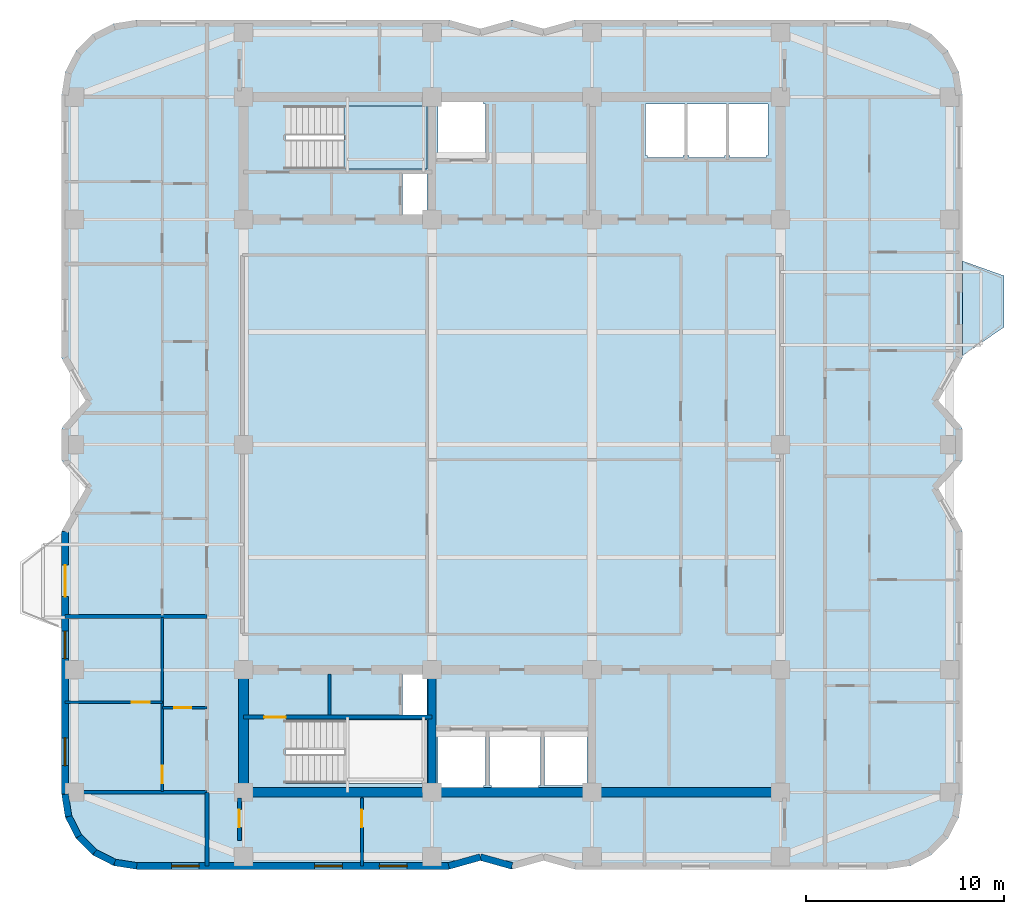
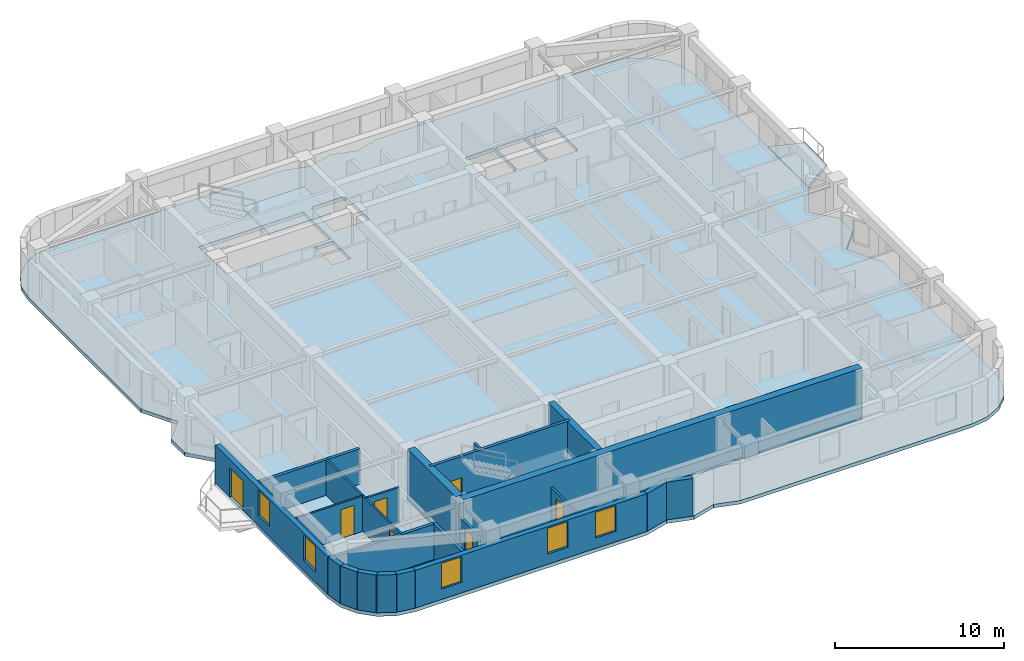
# One storey, part 2 of 9: 22 walls, 7 doors, 5 windows, 3 slabs, 12 openings, 1 element without a shape of its own.
"""IFC4 building model written with IfcOpenShell, lengths in metres."""

import ifcopenshell
import ifcopenshell.guid

model = None  # the IFC model being written
_history = None  # IfcOwnerHistory: only IFC2X3 demands one
_inside = {}  # id of a spatial element -> (the spatial element, [elements in it])
_under = {}  # id of a project, library or spatial element -> (it, [spatial elements below it])
_declared = {}  # id of a project -> (the project, [libraries it declares])
_typed = {}  # id of a type object -> (the type object, [elements of that type])
_made_of = {}  # id of a material, layer set ... -> (it, [elements and type objects made of it])


def new_model(schema):
    """Start an empty IFC model of exactly this schema.

    Asked for "IFC4X3", IfcOpenShell would pick the latest addendum, in which some entities
    have other attributes; the version numbers below select the first issue.
    IFC2X3 requires an IfcOwnerHistory on every rooted entity: one is made here for all.
    """
    global model, _history
    if schema == "IFC4X3":
        model = ifcopenshell.file(schema_version=(4, 3, 0, 0))
    else:
        model = ifcopenshell.file(schema=schema)
    _inside.clear()
    _under.clear()
    _declared.clear()
    _typed.clear()
    _made_of.clear()
    _history = None
    if model.schema == "IFC2X3":
        org = make("IfcOrganization", Name="unknown")
        user = make(
            "IfcPersonAndOrganization",
            ThePerson=make("IfcPerson", FamilyName="unknown"),
            TheOrganization=org,
        )
        app = make(
            "IfcApplication",
            ApplicationDeveloper=org,
            Version="unknown",
            ApplicationFullName="unknown",
            ApplicationIdentifier="unknown",
        )
        _history = make(
            "IfcOwnerHistory",
            OwningUser=user,
            OwningApplication=app,
            ChangeAction="ADDED",
            CreationDate=0,
        )
    return model


def make(cls, **values):
    """One entity of the class cls with the attributes given. An attribute that is None is left unset."""
    return model.create_entity(
        cls, **{name: value for name, value in values.items() if value is not None}
    )


def rooted(cls, **values):
    """An entity with a GlobalId (a new one), such as an element, a storey or a relation."""
    return make(cls, GlobalId=ifcopenshell.guid.new(), OwnerHistory=_history, **values)


def si_unit(unit_type, name, prefix=None):
    """IfcSIUnit, for example si_unit("LENGTHUNIT", "METRE", prefix="MILLI")."""
    return make("IfcSIUnit", UnitType=unit_type, Prefix=prefix, Name=name)


def assignment(units):
    """IfcUnitAssignment: the units of a project."""
    return None if units is None else make("IfcUnitAssignment", Units=units)


def point(xyz):
    """IfcCartesianPoint."""
    return None if xyz is None else make("IfcCartesianPoint", Coordinates=xyz)


def direction(xyz):
    """IfcDirection."""
    return None if xyz is None else make("IfcDirection", DirectionRatios=xyz)


def frame(location, z_axis=None, x_axis=None):
    """IfcAxis2Placement3D, a coordinate frame: its origin and axes. An axis left out is left unset."""
    return make(
        "IfcAxis2Placement3D",
        Location=point(location),
        Axis=direction(z_axis),
        RefDirection=direction(x_axis),
    )


def frame_2d(location, x_axis=None):
    """IfcAxis2Placement2D, a coordinate frame in the plane: its origin and x axis."""
    return make(
        "IfcAxis2Placement2D", Location=point(location), RefDirection=direction(x_axis)
    )


def origin():
    """The frame at (0, 0, 0) with its axes left unset."""
    return frame((0.0, 0.0, 0.0))


def place(relative_to, where):
    """IfcLocalPlacement: puts the frame where relative to a parent placement (None: the world)."""
    return make(
        "IfcLocalPlacement", PlacementRelTo=relative_to, RelativePlacement=where
    )


def context(
    kind, dimensions, precision=None, world=None, true_north=None, identifier=None
):
    """IfcGeometricRepresentationContext, for example the 3D "Model" context."""
    return make(
        "IfcGeometricRepresentationContext",
        ContextIdentifier=identifier,
        ContextType=kind,
        CoordinateSpaceDimension=dimensions,
        Precision=precision,
        WorldCoordinateSystem=world,
        TrueNorth=true_north,
    )


def subcontext(parent, identifier, kind, view, scale=None):
    """IfcGeometricRepresentationSubContext, for example "Body" below "Model"."""
    return make(
        "IfcGeometricRepresentationSubContext",
        ContextIdentifier=identifier,
        ContextType=kind,
        ParentContext=parent,
        TargetScale=scale,
        TargetView=view,
    )


def project(units=None, contexts=None):
    """IfcProject with its units and contexts."""
    return rooted(
        "IfcProject",
        Name="project",
        RepresentationContexts=contexts,
        UnitsInContext=assignment(units),
    )


def spatial(cls, under=None, at=None, **own):
    """A site, building, storey or space (cls), placed at a placement, below another one or the project."""
    s = rooted(cls, ObjectPlacement=at, **own)
    if under is not None:
        _under.setdefault(under.id(), (under, []))[1].append(s)
    return s


def polyline(points):
    """IfcPolyline through the points."""
    return make("IfcPolyline", Points=[point(p) for p in points])


def profile(cls, at=None, kind="AREA", **sizes):
    """A parametric profile (cls). Its sizes go by their IFC names, for example OverallWidth=200.0."""
    return make(cls, ProfileType=kind, Position=at, **sizes)


def rectangle(**sizes):
    """IfcRectangleProfileDef."""
    return profile("IfcRectangleProfileDef", **sizes)


def outline(outer, holes=None, kind="AREA"):
    """IfcArbitraryClosedProfileDef: a profile drawn as a closed curve; with holes, ...WithVoids."""
    if holes is None:
        return make("IfcArbitraryClosedProfileDef", ProfileType=kind, OuterCurve=outer)
    return make(
        "IfcArbitraryProfileDefWithVoids",
        ProfileType=kind,
        OuterCurve=outer,
        InnerCurves=holes,
    )


def extrude(swept, where, along, depth):
    """IfcExtrudedAreaSolid: the profile swept, set in the frame where, extruded along a direction by depth."""
    return make(
        "IfcExtrudedAreaSolid",
        SweptArea=swept,
        Position=where,
        ExtrudedDirection=direction(along),
        Depth=depth,
    )


def shape(context_of_items, identifier, shape_type, items):
    """IfcShapeRepresentation: the items that make up one representation, for example the "Body"."""
    return make(
        "IfcShapeRepresentation",
        ContextOfItems=context_of_items,
        RepresentationIdentifier=identifier,
        RepresentationType=shape_type,
        Items=items,
    )


def material(Name=None, Category=None):
    """IfcMaterial."""
    return make("IfcMaterial", Name=Name, Category=Category)


def layer(
    of_material, thickness, ventilated=None, Name=None, Category=None, Priority=None
):
    """IfcMaterialLayer: one layer of a wall or slab, of a material (None: an air gap)."""
    return make(
        "IfcMaterialLayer",
        Material=of_material,
        LayerThickness=thickness,
        IsVentilated=ventilated,
        Name=Name,
        Category=Category,
        Priority=Priority,
    )


def layer_set(layers, Name=None):
    """IfcMaterialLayerSet."""
    return make("IfcMaterialLayerSet", MaterialLayers=layers, LayerSetName=Name)


def made_of(thing, what):
    """Note that an element or type object is made of a material, layer set ...; save() writes the relation."""
    if what is not None:
        _made_of.setdefault(what.id(), (what, []))[1].append(thing)
    return thing


def type_object(cls, material=None, **own):
    """A type object (cls), such as IfcWallType, which elements share."""
    return made_of(rooted(cls, **own), material)


def element(
    cls,
    number,
    at=None,
    inside=None,
    cuts=None,
    type_object=None,
    material=None,
    context=None,
    identifier="Body",
    shape_type=None,
    held_by="IfcProductDefinitionShape",
    body=None,
    shapes=None,
    **own,
):
    """One element of the class cls, such as IfcWall. Its Tag is "e" and its number.

    at: its placement. inside: the storey or other place that contains it. cuts: it is an
    opening in that element (IfcRelVoidsElement). A single representation is given by context,
    identifier, shape_type and body (its items); several are given by shapes. held_by: the class
    of the entity that holds the representations. save() writes the other relations.
    """
    e = rooted(cls, Tag="e%d" % number, ObjectPlacement=at, **own)
    if body is not None:
        shapes = [shape(context, identifier, shape_type, body)]
    if shapes is not None:
        e.Representation = make(held_by, Representations=shapes)
    if inside is not None:
        _inside.setdefault(inside.id(), (inside, []))[1].append(e)
    if cuts is not None:
        rooted(
            "IfcRelVoidsElement", RelatingBuildingElement=cuts, RelatedOpeningElement=e
        )
    if type_object is not None:
        _typed.setdefault(type_object.id(), (type_object, []))[1].append(e)
    return made_of(e, material)


def fill(opening, filler):
    """IfcRelFillsElement: the door or window that sits in an opening."""
    return rooted(
        "IfcRelFillsElement",
        RelatingOpeningElement=opening,
        RelatedBuildingElement=filler,
    )


def aggregate(whole, parts):
    """IfcRelAggregates: a whole, such as a stair, and the parts it consists of."""
    return rooted("IfcRelAggregates", RelatingObject=whole, RelatedObjects=parts)


def save(model, path):
    """Write the relations noted so far, then the file.

    IfcRelAggregates (storeys below a building ...), IfcRelContainedInSpatialStructure (elements
    in a storey), IfcRelDefinesByType, IfcRelAssociatesMaterial and IfcRelDeclares: one each for
    every whole, place, type object, material and project.
    """
    for whole, parts in _under.values():
        aggregate(whole, parts)
    for where, things in _inside.values():
        rooted(
            "IfcRelContainedInSpatialStructure",
            RelatedElements=things,
            RelatingStructure=where,
        )
    for kind, things in _typed.values():
        rooted("IfcRelDefinesByType", RelatedObjects=things, RelatingType=kind)
    for what, things in _made_of.values():
        rooted("IfcRelAssociatesMaterial", RelatedObjects=things, RelatingMaterial=what)
    for by, libraries in _declared.values():
        rooted("IfcRelDeclares", RelatingContext=by, RelatedDefinitions=libraries)
    model.write(path)


model = new_model("IFC4")

# Units and contexts
model_context = context("Model", 3, precision=1e-05, world=origin(), true_north=direction((0.0, 1.0)))
body_context = subcontext(model_context, "Body", "Model", "MODEL_VIEW")
ifc_project = project(units=[si_unit("LENGTHUNIT", "METRE"), si_unit("AREAUNIT", "SQUARE_METRE"), si_unit("VOLUMEUNIT", "CUBIC_METRE"), si_unit("PLANEANGLEUNIT", "RADIAN"), si_unit("MASSUNIT", "GRAM", prefix="KILO")], contexts=[model_context])

# Site, building, storey
site_placement = place(None, origin())
site = spatial("IfcSite", under=ifc_project, at=site_placement, CompositionType="ELEMENT")
building_placement = place(site_placement, origin())
building = spatial("IfcBuilding", under=site, at=building_placement, Name="Svetorya Sky Lyceum", CompositionType="ELEMENT")
storey_placement = place(building_placement, frame((0.0, 0.0, 170.0)))
storey = spatial("IfcBuildingStorey", under=building, at=storey_placement, Name="L42", CompositionType="ELEMENT", Elevation=170.0)

# Slab
ifc_material_1 = material(Name="Concrete C40/50", Category="concrete")
ifc_layer_1 = layer(ifc_material_1, 0.260009765625)
ifc_layer_set_1 = layer_set([ifc_layer_1], Name="Concrete C40/50")
slab_type_1 = type_object("IfcSlabType", Name="SL-BAL-260", PredefinedType="FLOOR", material=ifc_layer_set_1)
slab_1_placement = place(storey_placement, frame((0.0, 0.0, -0.260009765625)))
element("IfcSlab", 1, at=slab_1_placement, inside=storey, type_object=slab_type_1, Name="L42 Chamfered Loggia Balcony BAL-E1", PredefinedType="FLOOR", context=body_context, shape_type="SweptSolid", body=[
    extrude(outline(polyline([(62.010009765625, 32.699951171875), (64.110107421875, 34.14990234375), (64.110107421875, 36.75), (62.010009765625, 37.5), (62.010009765625, 32.699951171875)])), origin(), (0.0, 0.0, 1.0), 0.260009765625),
])

# Stair, slab
stair_type = type_object("IfcStairType", Name="STR-ST-N", PredefinedType="HALF_TURN_STAIR", material=ifc_material_1)
stair_placement = place(storey_placement, origin())
stair = element("IfcStair", 2, at=stair_placement, inside=storey, type_object=stair_type, Name="L42 North Core Smoke-Free Exit Stair N3", PredefinedType="HALF_TURN_STAIR")
ifc_layer_2 = layer(ifc_material_1, 0.199951171875)
ifc_layer_set_2 = layer_set([ifc_layer_2], Name="Concrete C40/50")
slab_type_2 = type_object("IfcSlabType", Name="SL-STR-LAND-200", PredefinedType="LANDING", material=ifc_layer_set_2)
slab_2_placement = place(storey_placement, frame((0.0, 0.0, 1.64990234375)))
slab_2 = element("IfcSlab", 3, at=slab_2_placement, type_object=slab_type_2, Name="ST-N landing 1", PredefinedType="LANDING", context=body_context, shape_type="SweptSolid", body=[
    extrude(outline(polyline([(30.699951171875, 42.14990234375), (34.89990234375, 42.14990234375), (34.89990234375, 45.35009765625), (30.699951171875, 45.35009765625), (30.699951171875, 42.14990234375)])), origin(), (0.0, 0.0, 1.0), 0.2001953125),
])
aggregate(stair, [slab_2])

# Slab
ifc_material_2 = material(Name="Concrete C50/60", Category="concrete")
ifc_layer_3 = layer(ifc_material_2, 0.260009765625)
ifc_layer_set_3 = layer_set([ifc_layer_3], Name="Concrete C50/60")
slab_type_3 = type_object("IfcSlabType", Name="SL-TWR-260", PredefinedType="FLOOR", material=ifc_layer_set_3)
slab_3_placement = place(storey_placement, frame((0.0, 0.0, -0.260009765625)))
element("IfcSlab", 4, at=slab_3_placement, inside=storey, type_object=slab_type_3, Name="L42 Structural Floor Slab", PredefinedType="FLOOR", context=body_context, shape_type="SweptSolid", body=[
    extrude(outline(polyline([(16.39990234375, 10.5), (16.5859375, 9.32568359375), (17.125732421875, 8.266357421875), (17.96630859375, 7.42578125), (19.025634765625, 6.885986328125), (20.199951171875, 6.699951171875), (36.0, 6.699951171875), (37.60009765625, 7.14990234375), (39.199951171875, 6.699951171875), (40.800048828125, 7.14990234375), (42.39990234375, 6.699951171875), (58.199951171875, 6.699951171875), (59.374267578125, 6.885986328125), (60.43359375, 7.42578125), (61.2744140625, 8.266357421875), (61.81396484375, 9.32568359375), (62.0, 10.5), (62.0, 23.800048828125), (60.75, 26.0), (62.0, 27.39990234375), (62.0, 29.0), (60.75, 30.39990234375), (62.0, 32.60009765625), (62.0, 45.89990234375), (61.81396484375, 47.07421875), (61.2744140625, 48.133544921875), (60.43359375, 48.974365234375), (59.374267578125, 49.513916015625), (58.199951171875, 49.699951171875), (42.39990234375, 49.699951171875), (40.800048828125, 49.25), (39.199951171875, 49.699951171875), (37.60009765625, 49.25), (36.0, 49.699951171875), (20.199951171875, 49.699951171875), (19.025634765625, 49.513916015625), (17.96630859375, 48.974365234375), (17.125732421875, 48.133544921875), (16.5859375, 47.07421875), (16.39990234375, 45.89990234375), (16.39990234375, 32.60009765625), (17.64990234375, 30.39990234375), (16.39990234375, 29.0), (16.39990234375, 27.39990234375), (17.64990234375, 26.0), (16.39990234375, 23.800048828125), (16.39990234375, 10.5)]), holes=[polyline([(37.85009765625, 10.949951171875), (37.75, 10.949951171875), (37.75, 10.85009765625), (35.550048828125, 10.85009765625), (35.550048828125, 10.949951171875), (35.449951171875, 10.949951171875), (35.449951171875, 13.64990234375), (35.550048828125, 13.64990234375), (37.75, 13.64990234375), (37.85009765625, 13.64990234375), (37.85009765625, 10.949951171875)]), polyline([(38.14990234375, 10.800048828125), (38.14990234375, 10.949951171875), (38.050048828125, 10.949951171875), (38.050048828125, 13.64990234375), (38.14990234375, 13.64990234375), (38.14990234375, 13.699951171875), (40.550048828125, 13.699951171875), (40.550048828125, 13.64990234375), (40.64990234375, 13.64990234375), (40.64990234375, 10.949951171875), (40.550048828125, 10.949951171875), (40.550048828125, 10.800048828125), (38.14990234375, 10.800048828125)]), polyline([(27.719970703125, 11.050048828125), (27.719970703125, 14.25), (34.89990234375, 14.25), (34.89990234375, 11.050048828125), (27.719970703125, 11.050048828125)]), polyline([(33.64990234375, 14.52001953125), (33.64990234375, 16.580078125), (34.89990234375, 16.580078125), (34.89990234375, 14.52001953125), (33.64990234375, 14.52001953125)]), polyline([(33.64990234375, 39.820068359375), (33.64990234375, 41.89990234375), (34.89990234375, 41.89990234375), (34.89990234375, 39.820068359375), (33.64990234375, 39.820068359375)]), polyline([(27.719970703125, 42.14990234375), (27.719970703125, 45.35009765625), (34.89990234375, 45.35009765625), (34.89990234375, 42.14990234375), (27.719970703125, 42.14990234375)]), polyline([(37.75, 42.75), (35.550048828125, 42.75), (35.449951171875, 42.75), (35.449951171875, 45.449951171875), (35.550048828125, 45.449951171875), (35.550048828125, 45.550048828125), (37.75, 45.550048828125), (37.75, 45.449951171875), (37.85009765625, 45.449951171875), (37.85009765625, 42.75), (37.75, 42.75)]), polyline([(40.85009765625, 10.949951171875), (40.85009765625, 13.64990234375), (43.0, 13.64990234375), (43.0, 10.949951171875), (40.85009765625, 10.949951171875)]), polyline([(46.050048828125, 42.75), (46.050048828125, 42.85009765625), (45.949951171875, 42.85009765625), (45.949951171875, 45.449951171875), (46.050048828125, 45.449951171875), (47.85009765625, 45.449951171875), (47.949951171875, 45.449951171875), (47.949951171875, 42.85009765625), (47.85009765625, 42.85009765625), (47.85009765625, 42.75), (46.050048828125, 42.75)]), polyline([(50.050048828125, 42.85009765625), (49.949951171875, 42.85009765625), (49.949951171875, 42.75), (48.14990234375, 42.75), (48.14990234375, 42.85009765625), (48.050048828125, 42.85009765625), (48.050048828125, 45.449951171875), (48.14990234375, 45.449951171875), (49.949951171875, 45.449951171875), (50.050048828125, 45.449951171875), (50.050048828125, 42.85009765625)]), polyline([(52.14990234375, 42.85009765625), (52.050048828125, 42.85009765625), (52.050048828125, 42.75), (50.25, 42.75), (50.25, 42.85009765625), (50.14990234375, 42.85009765625), (50.14990234375, 45.449951171875), (50.25, 45.449951171875), (52.050048828125, 45.449951171875), (52.14990234375, 45.449951171875), (52.14990234375, 42.85009765625)])]), origin(), (0.0, 0.0, 1.0), 0.260009765625),
])

# Walls
ifc_layer_4 = layer(ifc_material_1, 0.39990234375)
ifc_layer_set_4 = layer_set([ifc_layer_4], Name="Concrete C40/50")
wall_type_1 = type_object("IfcWallType", Name="WL-CORE-400", PredefinedType="SHEAR", material=ifc_layer_set_4)
wall_1_placement = place(storey_placement, frame((35.14990234375, 10.85009765625, 0.0), z_axis=(0.0, 0.0, 1.0), x_axis=(0.0, 1.0, 0.0)))
element("IfcWall", 5, at=wall_1_placement, inside=storey, type_object=wall_type_1, Name="L42 SC Internal Shear Web WEB1", PredefinedType="SHEAR", context=body_context, shape_type="SweptSolid", body=[
    extrude(rectangle(XDim=5.699951171875, YDim=0.39990234375, at=frame_2d((2.85009765625, 0.0))), origin(), (0.0, 0.0, 1.0), 3.699951171875),
])
ifc_layer_5 = layer(ifc_material_2, 0.5)
ifc_layer_set_5 = layer_set([ifc_layer_5], Name="Concrete C50/60")
wall_type_2 = type_object("IfcWallType", Name="WL-CORE-500", PredefinedType="SHEAR", material=ifc_layer_set_5)
wall_2_placement = place(storey_placement, frame((52.800048828125, 10.60009765625, 0.0), z_axis=(0.0, 0.0, 1.0), x_axis=(-1.0, 0.0, 0.0)))
element("IfcWall", 6, at=wall_2_placement, inside=storey, type_object=wall_type_2, Name="L42 SC Outer Core Shear Wall", PredefinedType="SHEAR", context=body_context, shape_type="SweptSolid", body=[
    extrude(rectangle(XDim=27.199951171875, YDim=0.5, at=frame_2d((13.60009765625, 0.0))), origin(), (0.0, 0.0, 1.0), 3.699951171875),
])
wall_3_placement = place(storey_placement, frame((25.60009765625, 10.85009765625, 0.0), z_axis=(0.0, 0.0, 1.0), x_axis=(0.0, 1.0, 0.0)))
element("IfcWall", 7, at=wall_3_placement, inside=storey, type_object=wall_type_2, Name="L42 SC West Core Shear Wall", PredefinedType="SHEAR", context=body_context, shape_type="SweptSolid", body=[
    extrude(rectangle(XDim=5.699951171875, YDim=0.5, at=frame_2d((2.85009765625, 0.0))), origin(), (0.0, 0.0, 1.0), 3.699951171875),
])
ifc_material_3 = material(Name="Putilovo limestone rainscreen on autoclaved cellular masonry", Category="masonry")
ifc_layer_6 = layer(ifc_material_3, 0.340087890625)
ifc_layer_set_6 = layer_set([ifc_layer_6], Name="Putilovo limestone rainscreen on autoclaved cellular masonry")
wall_type_3 = type_object("IfcWallType", Name="WL-EXT-340", PredefinedType="SOLIDWALL", material=ifc_layer_set_6)
wall_4_placement = place(storey_placement, frame((16.570068359375, 10.5, 0.0), z_axis=(0.0, 0.0, 1.0), x_axis=(0.156514556949, -0.987675651954, 0.0)))
element("IfcWall", 8, at=wall_4_placement, inside=storey, type_object=wall_type_3, Name="L42 Limestone Exterior Wall 1M", PredefinedType="SOLIDWALL", context=body_context, shape_type="SweptSolid", body=[
    extrude(rectangle(XDim=1.135498046875, YDim=0.340087890625, at=frame_2d((0.56787109375, 0.0))), origin(), (0.0, 0.0, 1.0), 2.719970703125),
])
for number, where, z_axis, x_axis, name in (
    (9, (16.747802734375, 9.37841796875, 0.0), (0.0, 0.0, 1.0), (0.45373580117, -0.891136253744, 0.0), "L42 Limestone Exterior Wall 2M"),
    (10, (17.26318359375, 8.3662109375, 0.0), (0.0, 0.0, 1.0), (0.707214252388, -0.706999293649, 0.0), "L42 Limestone Exterior Wall 3M"),
    (11, (18.06640625, 7.563232421875, 0.0), (0.0, 0.0, 1.0), (0.891005044957, -0.453993402883, 0.0), "L42 Limestone Exterior Wall 4M"),
):
    element("IfcWall", number, at=place(storey_placement, frame(where, z_axis=z_axis, x_axis=x_axis)), inside=storey, type_object=wall_type_3, Name=name, PredefinedType="SOLIDWALL", context=body_context, shape_type="SweptSolid", body=[
        extrude(rectangle(XDim=1.1357421875, YDim=0.340087890625, at=frame_2d((0.56787109375, 0.0))), origin(), (0.0, 0.0, 1.0), 2.719970703125),
    ])
wall_5_placement = place(storey_placement, frame((19.078369140625, 7.047607421875, 0.0), z_axis=(0.0, 0.0, 1.0), x_axis=(0.987708865555, -0.156304820474, 0.0)))
element("IfcWall", 12, at=wall_5_placement, inside=storey, type_object=wall_type_3, Name="L42 Limestone Exterior Wall 5M", PredefinedType="SOLIDWALL", context=body_context, shape_type="SweptSolid", body=[
    extrude(rectangle(XDim=1.135498046875, YDim=0.340087890625, at=frame_2d((0.56787109375, 0.0))), origin(), (0.0, 0.0, 1.0), 2.719970703125),
])

# Wall, openings, windows
wall_6_placement = place(storey_placement, frame((20.199951171875, 6.8701171875, 0.0), z_axis=(0.0, 0.0, 1.0), x_axis=(1.0, 0.0, 0.0)))
wall_6 = element("IfcWall", 13, at=wall_6_placement, inside=storey, type_object=wall_type_3, Name="L42 Limestone Exterior Wall 6M", PredefinedType="SOLIDWALL", context=body_context, shape_type="SweptSolid", body=[
    extrude(rectangle(XDim=15.800048828125, YDim=0.340087890625, at=frame_2d((7.89990234375, 0.0))), origin(), (0.0, 0.0, 1.0), 2.719970703125),
])
opening_1_placement = place(wall_6_placement, frame((1.762451171875, 0.0, 0.75)))
opening_1 = element("IfcOpeningElement", 14, at=opening_1_placement, cuts=wall_6, Name="Opening W-R2", PredefinedType="OPENING", context=body_context, shape_type="SweptSolid", body=[
    extrude(rectangle(XDim=1.39990234375, YDim=1.85009765625, at=frame_2d((0.699951171875, 0.925048828125))), frame((0.0, 0.179931640625, 0.0), z_axis=(0.0, -1.0, 0.0), x_axis=(1.0, 0.0, 0.0)), (0.0, 0.0, 1.0), 0.360107421875),
])
opening_2_placement = place(wall_6_placement, frame((9.012451171875, 0.0, 0.75)))
opening_2 = element("IfcOpeningElement", 15, at=opening_2_placement, cuts=wall_6, Name="Opening W-R2", PredefinedType="OPENING", context=body_context, shape_type="SweptSolid", body=[
    extrude(rectangle(XDim=1.39990234375, YDim=1.85009765625, at=frame_2d((0.699951171875, 0.925048828125))), frame((0.0, 0.179931640625, 0.0), z_axis=(0.0, -1.0, 0.0), x_axis=(1.0, 0.0, 0.0)), (0.0, 0.0, 1.0), 0.360107421875),
])
opening_3_placement = place(wall_6_placement, frame((12.28759765625, 0.0, 0.75)))
opening_3 = element("IfcOpeningElement", 16, at=opening_3_placement, cuts=wall_6, Name="Opening W-R2", PredefinedType="OPENING", context=body_context, shape_type="SweptSolid", body=[
    extrude(rectangle(XDim=1.39990234375, YDim=1.85009765625, at=frame_2d((0.699951171875, 0.925048828125))), frame((0.0, 0.179931640625, 0.0), z_axis=(0.0, -1.0, 0.0), x_axis=(1.0, 0.0, 0.0)), (0.0, 0.0, 1.0), 0.360107421875),
])
ifc_material_4 = material(Name="Thermally broken aluminium frame with triple low-E glazing", Category="aluminium")
window_type = type_object("IfcWindowType", Name="WN-RES-140", PartitioningType="SINGLE_PANEL", PredefinedType="WINDOW", material=ifc_material_4)
window_1_placement = place(opening_1_placement, origin())
window_1 = element("IfcWindow", 17, at=window_1_placement, inside=storey, type_object=window_type, Name="L42 Facade Window W-R2.6M.1", OverallHeight=1.85009765625, OverallWidth=1.39990234375, PartitioningType="SINGLE_PANEL", PredefinedType="WINDOW", context=body_context, shape_type="SweptSolid", body=[
    extrude(rectangle(XDim=1.39990234375, YDim=1.85009765625, at=frame_2d((0.699951171875, 0.925048828125))), frame((0.0, 0.030029296875, 0.0), z_axis=(0.0, -1.0, 0.0), x_axis=(1.0, 0.0, 0.0)), (0.0, 0.0, 1.0), 0.06005859375),
])
fill(opening_1, window_1)
window_2_placement = place(opening_2_placement, origin())
window_2 = element("IfcWindow", 18, at=window_2_placement, inside=storey, type_object=window_type, Name="L42 Facade Window W-R2.6M.2", OverallHeight=1.85009765625, OverallWidth=1.39990234375, PartitioningType="SINGLE_PANEL", PredefinedType="WINDOW", context=body_context, shape_type="SweptSolid", body=[
    extrude(rectangle(XDim=1.39990234375, YDim=1.85009765625, at=frame_2d((0.699951171875, 0.925048828125))), frame((0.0, 0.030029296875, 0.0), z_axis=(0.0, -1.0, 0.0), x_axis=(1.0, 0.0, 0.0)), (0.0, 0.0, 1.0), 0.06005859375),
])
fill(opening_2, window_2)
window_3_placement = place(opening_3_placement, origin())
window_3 = element("IfcWindow", 19, at=window_3_placement, inside=storey, type_object=window_type, Name="L42 Facade Window W-R2.6M.3", OverallHeight=1.85009765625, OverallWidth=1.39990234375, PartitioningType="SINGLE_PANEL", PredefinedType="WINDOW", context=body_context, shape_type="SweptSolid", body=[
    extrude(rectangle(XDim=1.39990234375, YDim=1.85009765625, at=frame_2d((0.699951171875, 0.925048828125))), frame((0.0, 0.030029296875, 0.0), z_axis=(0.0, -1.0, 0.0), x_axis=(1.0, 0.0, 0.0)), (0.0, 0.0, 1.0), 0.06005859375),
])
fill(opening_3, window_3)

# Walls
wall_7_placement = place(storey_placement, frame((36.0, 6.8701171875, 0.0), z_axis=(0.0, 0.0, 1.0), x_axis=(0.962662902433, 0.270703040766, 0.0)))
element("IfcWall", 20, at=wall_7_placement, inside=storey, type_object=wall_type_3, Name="L42 Limestone Exterior Wall 7M", PredefinedType="SOLIDWALL", context=body_context, shape_type="SweptSolid", body=[
    extrude(rectangle(XDim=1.662109375, YDim=0.340087890625, at=frame_2d((0.8310546875, 0.0))), origin(), (0.0, 0.0, 1.0), 2.719970703125),
])
wall_8_placement = place(storey_placement, frame((37.60009765625, 7.320068359375, 0.0), z_axis=(0.0, 0.0, 1.0), x_axis=(0.962652136636, -0.270741322725, 0.0)))
element("IfcWall", 21, at=wall_8_placement, inside=storey, type_object=wall_type_3, Name="L42 Limestone Exterior Wall 8M", PredefinedType="SOLIDWALL", context=body_context, shape_type="SweptSolid", body=[
    extrude(rectangle(XDim=1.661865234375, YDim=0.340087890625, at=frame_2d((0.8310546875, 0.0))), origin(), (0.0, 0.0, 1.0), 2.719970703125),
])

# Wall, openings, door, windows
wall_9_placement = place(storey_placement, frame((16.570068359375, 23.800048828125, 0.0), z_axis=(0.0, 0.0, 1.0), x_axis=(0.0, -1.0, 0.0)))
wall_9 = element("IfcWall", 22, at=wall_9_placement, inside=storey, type_object=wall_type_3, Name="L42 Limestone Exterior Wall 46M", PredefinedType="SOLIDWALL", context=body_context, shape_type="SweptSolid", body=[
    extrude(rectangle(XDim=13.300048828125, YDim=0.340087890625, at=frame_2d((6.64990234375, 0.0))), origin(), (0.0, 0.0, 1.0), 2.719970703125),
])
opening_4_placement = place(wall_9_placement, frame((1.699951171875, 0.0, 0.0)))
opening_4 = element("IfcOpeningElement", 23, at=opening_4_placement, cuts=wall_9, Name="Opening D-BL1", PredefinedType="OPENING", context=body_context, shape_type="SweptSolid", body=[
    extrude(rectangle(XDim=1.60009765625, YDim=2.10009765625, at=frame_2d((0.800048828125, 1.050048828125))), frame((0.0, 0.179931640625, 0.0), z_axis=(0.0, -1.0, 0.0), x_axis=(1.0, 0.0, 0.0)), (0.0, 0.0, 1.0), 0.360107421875),
])
opening_5_placement = place(wall_9_placement, frame((5.0400390625, 0.0, 0.7099609375)))
opening_5 = element("IfcOpeningElement", 24, at=opening_5_placement, cuts=wall_9, Name="Opening W-R2", PredefinedType="OPENING", context=body_context, shape_type="SweptSolid", body=[
    extrude(rectangle(XDim=1.39990234375, YDim=1.85009765625, at=frame_2d((0.699951171875, 0.925048828125))), frame((0.0, 0.179931640625, 0.0), z_axis=(0.0, -1.0, 0.0), x_axis=(1.0, 0.0, 0.0)), (0.0, 0.0, 1.0), 0.360107421875),
])
opening_6_placement = place(wall_9_placement, frame((10.449951171875, 0.0, 0.75)))
opening_6 = element("IfcOpeningElement", 25, at=opening_6_placement, cuts=wall_9, Name="Opening W-R2", PredefinedType="OPENING", context=body_context, shape_type="SweptSolid", body=[
    extrude(rectangle(XDim=1.39990234375, YDim=1.85009765625, at=frame_2d((0.699951171875, 0.925048828125))), frame((0.0, 0.179931640625, 0.0), z_axis=(0.0, -1.0, 0.0), x_axis=(1.0, 0.0, 0.0)), (0.0, 0.0, 1.0), 0.360107421875),
])
ifc_material_5 = material(Name="Insulated glazed aluminium balcony door", Category="aluminium")
door_type_1 = type_object("IfcDoorType", Name="DR-BAL-1600", OperationType="DOUBLE_DOOR_SINGLE_SWING", PredefinedType="DOOR", material=ifc_material_5)
door_1_placement = place(opening_4_placement, origin())
door_1 = element("IfcDoor", 26, at=door_1_placement, inside=storey, type_object=door_type_1, Name="L42 Balcony BAL-W1 Door", OperationType="DOUBLE_DOOR_SINGLE_SWING", OverallHeight=2.10009765625, OverallWidth=1.60009765625, PredefinedType="DOOR", context=body_context, shape_type="SweptSolid", body=[
    extrude(rectangle(XDim=1.60009765625, YDim=2.10009765625, at=frame_2d((0.800048828125, 1.050048828125))), frame((0.0, 0.02490234375, 0.0), z_axis=(0.0, -1.0, 0.0), x_axis=(1.0, 0.0, 0.0)), (0.0, 0.0, 1.0), 0.050048828125),
])
fill(opening_4, door_1)
window_4_placement = place(opening_5_placement, origin())
window_4 = element("IfcWindow", 27, at=window_4_placement, inside=storey, type_object=window_type, Name="L42 Facade Window W-R2.46M.2", OverallHeight=1.85009765625, OverallWidth=1.39990234375, PartitioningType="SINGLE_PANEL", PredefinedType="WINDOW", context=body_context, shape_type="SweptSolid", body=[
    extrude(rectangle(XDim=1.39990234375, YDim=1.85009765625, at=frame_2d((0.699951171875, 0.925048828125))), frame((0.0, 0.030029296875, 0.0), z_axis=(0.0, -1.0, 0.0), x_axis=(1.0, 0.0, 0.0)), (0.0, 0.0, 1.0), 0.06005859375),
])
fill(opening_5, window_4)
window_5_placement = place(opening_6_placement, origin())
window_5 = element("IfcWindow", 28, at=window_5_placement, inside=storey, type_object=window_type, Name="L42 Facade Window W-R2.46M.1", OverallHeight=1.85009765625, OverallWidth=1.39990234375, PartitioningType="SINGLE_PANEL", PredefinedType="WINDOW", context=body_context, shape_type="SweptSolid", body=[
    extrude(rectangle(XDim=1.39990234375, YDim=1.85009765625, at=frame_2d((0.699951171875, 0.925048828125))), frame((0.0, 0.030029296875, 0.0), z_axis=(0.0, -1.0, 0.0), x_axis=(1.0, 0.0, 0.0)), (0.0, 0.0, 1.0), 0.06005859375),
])
fill(opening_6, window_5)

# Wall, opening, door
ifc_material_6 = material(Name="Twin-stud galvanized framing with double fireboard", Category="gypsum")
ifc_layer_7 = layer(ifc_material_6, 0.1201171875)
ifc_layer_set_7 = layer_set([ifc_layer_7], Name="Twin-stud galvanized framing with double fireboard")
wall_type_4 = type_object("IfcWallType", Name="WL-PART-120", PredefinedType="PARTITIONING", material=ifc_layer_set_7)
wall_10_placement = place(storey_placement, frame((21.5, 14.8701171875, 0.0), z_axis=(0.0, 0.0, 1.0), x_axis=(1.0, 0.0, 0.0)))
wall_10 = element("IfcWall", 29, at=wall_10_placement, inside=storey, type_object=wall_type_4, Name="L42 Interior Partition W1-WH1", PredefinedType="PARTITIONING", context=body_context, shape_type="SweptSolid", body=[
    extrude(rectangle(XDim=2.25, YDim=0.1201171875, at=frame_2d((1.125, 0.0))), origin(), (0.0, 0.0, 1.0), 2.550048828125),
])
opening_7_placement = place(wall_10_placement, frame((0.60009765625, 0.0, 0.0)))
opening_7 = element("IfcOpeningElement", 30, at=opening_7_placement, cuts=wall_10, Name="Opening D-BT1", PredefinedType="OPENING", context=body_context, shape_type="SweptSolid", body=[
    extrude(rectangle(XDim=0.85009765625, YDim=2.10009765625, at=frame_2d((0.425048828125, 1.050048828125))), frame((0.0, 0.070068359375, 0.0), z_axis=(0.0, -1.0, 0.0), x_axis=(1.0, 0.0, 0.0)), (0.0, 0.0, 1.0), 0.14013671875),
])
ifc_material_7 = material(Name="Moisture-resistant laminate bathroom door")
door_type_2 = type_object("IfcDoorType", Name="DR-WET-850", OperationType="SINGLE_SWING_LEFT", PredefinedType="DOOR", material=ifc_material_7)
door_2_placement = place(opening_7_placement, origin())
door_2 = element("IfcDoor", 31, at=door_2_placement, inside=storey, type_object=door_type_2, Name="Apartment W1 Bathroom Door", OperationType="SINGLE_SWING_LEFT", OverallHeight=2.10009765625, OverallWidth=0.85009765625, PredefinedType="DOOR", context=body_context, shape_type="SweptSolid", body=[
    extrude(rectangle(XDim=0.85009765625, YDim=2.10009765625, at=frame_2d((0.425048828125, 1.050048828125))), frame((0.0, 0.02490234375, 0.0), z_axis=(0.0, -1.0, 0.0), x_axis=(1.0, 0.0, 0.0)), (0.0, 0.0, 1.0), 0.050048828125),
])
fill(opening_7, door_2)

wall_11_placement = place(storey_placement, frame((16.570068359375, 15.14990234375, 0.0), z_axis=(0.0, 0.0, 1.0), x_axis=(1.0, 0.0, 0.0)))
wall_11 = element("IfcWall", 32, at=wall_11_placement, inside=storey, type_object=wall_type_4, Name="L42 Interior Partition W1-WL1", PredefinedType="PARTITIONING", context=body_context, shape_type="SweptSolid", body=[
    extrude(rectangle(XDim=4.929931640625, YDim=0.1201171875, at=frame_2d((2.46484375, 0.0))), origin(), (0.0, 0.0, 1.0), 2.550048828125),
])
opening_8_placement = place(wall_11_placement, frame((3.3798828125, 0.0, 0.0)))
opening_8 = element("IfcOpeningElement", 33, at=opening_8_placement, cuts=wall_11, Name="Opening D-RM1", PredefinedType="OPENING", context=body_context, shape_type="SweptSolid", body=[
    extrude(rectangle(XDim=0.89990234375, YDim=2.10009765625, at=frame_2d((0.449951171875, 1.050048828125))), frame((0.0, 0.070068359375, 0.0), z_axis=(0.0, -1.0, 0.0), x_axis=(1.0, 0.0, 0.0)), (0.0, 0.0, 1.0), 0.14013671875),
])
ifc_material_8 = material(Name="Lacquered birch veneer internal door")
door_type_3 = type_object("IfcDoorType", Name="DR-INT-900", OperationType="SINGLE_SWING_LEFT", PredefinedType="DOOR", material=ifc_material_8)
door_3_placement = place(opening_8_placement, origin())
door_3 = element("IfcDoor", 34, at=door_3_placement, inside=storey, type_object=door_type_3, Name="Apartment W1 Bedroom 1 Door", OperationType="SINGLE_SWING_LEFT", OverallHeight=2.10009765625, OverallWidth=0.89990234375, PredefinedType="DOOR", context=body_context, shape_type="SweptSolid", body=[
    extrude(rectangle(XDim=0.89990234375, YDim=2.10009765625, at=frame_2d((0.449951171875, 1.050048828125))), frame((0.0, 0.02490234375, 0.0), z_axis=(0.0, -1.0, 0.0), x_axis=(1.0, 0.0, 0.0)), (0.0, 0.0, 1.0), 0.050048828125),
])
fill(opening_8, door_3)

wall_12_placement = place(storey_placement, frame((21.5, 10.639892578125, 0.0), z_axis=(0.0, 0.0, 1.0), x_axis=(0.0, 1.0, 0.0)))
wall_12 = element("IfcWall", 35, at=wall_12_placement, inside=storey, type_object=wall_type_4, Name="L42 Interior Partition W1-WV", PredefinedType="PARTITIONING", context=body_context, shape_type="SweptSolid", body=[
    extrude(rectangle(XDim=8.820068359375, YDim=0.1201171875, at=frame_2d((4.41015625, 0.0))), origin(), (0.0, 0.0, 1.0), 2.550048828125),
])
opening_9_placement = place(wall_12_placement, frame((0.409912109375, 0.0, 0.0)))
opening_9 = element("IfcOpeningElement", 36, at=opening_9_placement, cuts=wall_12, Name="Opening D-RM1", PredefinedType="OPENING", context=body_context, shape_type="SweptSolid", body=[
    extrude(rectangle(XDim=0.89990234375, YDim=2.10009765625, at=frame_2d((0.449951171875, 1.050048828125))), frame((0.0, 0.070068359375, 0.0), z_axis=(0.0, -1.0, 0.0), x_axis=(1.0, 0.0, 0.0)), (0.0, 0.0, 1.0), 0.14013671875),
])
door_4_placement = place(opening_9_placement, origin())
door_4 = element("IfcDoor", 37, at=door_4_placement, inside=storey, type_object=door_type_3, Name="Apartment W1 Living Door", OperationType="SINGLE_SWING_RIGHT", OverallHeight=2.10009765625, OverallWidth=0.89990234375, PredefinedType="DOOR", context=body_context, shape_type="SweptSolid", body=[
    extrude(rectangle(XDim=0.89990234375, YDim=2.10009765625, at=frame_2d((0.449951171875, 1.050048828125))), frame((0.0, 0.02490234375, 0.0), z_axis=(0.0, -1.0, 0.0), x_axis=(1.0, 0.0, 0.0)), (0.0, 0.0, 1.0), 0.050048828125),
])
fill(opening_9, door_4)

# Wall
ifc_material_9 = material(Name="Autoclaved cellular masonry blockwork with acoustic render", Category="masonry")
ifc_layer_8 = layer(ifc_material_9, 0.14990234375)
ifc_layer_set_8 = layer_set([ifc_layer_8], Name="Autoclaved cellular masonry blockwork with acoustic render")
wall_type_5 = type_object("IfcWallType", Name="WL-PART-150", PredefinedType="PARTITIONING", material=ifc_layer_set_8)
wall_13_placement = place(storey_placement, frame((29.949951171875, 14.5, 0.0), z_axis=(0.0, 0.0, 1.0), x_axis=(0.0, 1.0, 0.0)))
element("IfcWall", 38, at=wall_13_placement, inside=storey, type_object=wall_type_5, Name="L42 Interior Partition SC-SWD1", PredefinedType="PARTITIONING", context=body_context, shape_type="SweptSolid", body=[
    extrude(rectangle(XDim=2.080078125, YDim=0.14990234375, at=frame_2d((1.0400390625, 0.0))), origin(), (0.0, 0.0, 1.0), 2.550048828125),
])

# Wall, opening, door
wall_14_placement = place(storey_placement, frame((31.60009765625, 6.8701171875, 0.0), z_axis=(0.0, 0.0, 1.0), x_axis=(0.0, 1.0, 0.0)))
wall_14 = element("IfcWall", 39, at=wall_14_placement, inside=storey, type_object=wall_type_5, Name="L42 Interior Partition S-D1", PredefinedType="PARTITIONING", context=body_context, shape_type="SweptSolid", body=[
    extrude(rectangle(XDim=3.429931640625, YDim=0.14990234375, at=frame_2d((1.71484375, 0.0))), origin(), (0.0, 0.0, 1.0), 2.550048828125),
])
opening_10_placement = place(wall_14_placement, frame((1.949951171875, 0.0, 0.0)))
opening_10 = element("IfcOpeningElement", 40, at=opening_10_placement, cuts=wall_14, Name="Opening D-RM1", PredefinedType="OPENING", context=body_context, shape_type="SweptSolid", body=[
    extrude(rectangle(XDim=0.89990234375, YDim=2.10009765625, at=frame_2d((0.449951171875, 1.050048828125))), frame((0.0, 0.0849609375, 0.0), z_axis=(0.0, -1.0, 0.0), x_axis=(1.0, 0.0, 0.0)), (0.0, 0.0, 1.0), 0.169921875),
])
door_5_placement = place(opening_10_placement, origin())
door_5 = element("IfcDoor", 41, at=door_5_placement, inside=storey, type_object=door_type_3, Name="L42 South Store Door", OperationType="SINGLE_SWING_LEFT", OverallHeight=2.10009765625, OverallWidth=0.89990234375, PredefinedType="DOOR", context=body_context, shape_type="SweptSolid", body=[
    extrude(rectangle(XDim=0.89990234375, YDim=2.10009765625, at=frame_2d((0.449951171875, 1.050048828125))), frame((0.0, 0.02490234375, 0.0), z_axis=(0.0, -1.0, 0.0), x_axis=(1.0, 0.0, 0.0)), (0.0, 0.0, 1.0), 0.050048828125),
])
fill(opening_10, door_5)

# Walls
ifc_material_10 = material(Name="Autoclaved cellular masonry blockwork with gypsum plaster", Category="masonry")
ifc_layer_9 = layer(ifc_material_10, 0.199951171875)
ifc_layer_set_9 = layer_set([ifc_layer_9], Name="Autoclaved cellular masonry blockwork with gypsum plaster")
wall_type_6 = type_object("IfcWallType", Name="WL-PART-200", PredefinedType="PARTITIONING", material=ifc_layer_set_9)
wall_15_placement = place(storey_placement, frame((16.570068359375, 19.5, 0.0), z_axis=(0.0, 0.0, 1.0), x_axis=(1.0, 0.0, 0.0)))
element("IfcWall", 42, at=wall_15_placement, inside=storey, type_object=wall_type_6, Name="L42 Interior Partition W-PARTY-1", PredefinedType="PARTITIONING", context=body_context, shape_type="SweptSolid", body=[
    extrude(rectangle(XDim=7.179931640625, YDim=0.199951171875, at=frame_2d((3.58984375, 0.0))), origin(), (0.0, 0.0, 1.0), 2.550048828125),
])
wall_16_placement = place(storey_placement, frame((16.989990234375, 10.60009765625, 0.0), z_axis=(0.0, 0.0, 1.0), x_axis=(1.0, 0.0, 0.0)))
element("IfcWall", 43, at=wall_16_placement, inside=storey, type_object=wall_type_6, Name="L42 Interior Partition W-CAP-S", PredefinedType="PARTITIONING", context=body_context, shape_type="SweptSolid", body=[
    extrude(rectangle(XDim=6.760009765625, YDim=0.199951171875, at=frame_2d((3.3798828125, 0.0))), origin(), (0.0, 0.0, 1.0), 2.550048828125),
])
wall_17_placement = place(storey_placement, frame((23.75, 6.8701171875, 0.0), z_axis=(0.0, 0.0, 1.0), x_axis=(0.0, 1.0, 0.0)))
element("IfcWall", 44, at=wall_17_placement, inside=storey, type_object=wall_type_6, Name="L42 Interior Partition WC-SW-END", PredefinedType="PARTITIONING", context=body_context, shape_type="SweptSolid", body=[
    extrude(rectangle(XDim=3.72998046875, YDim=0.199951171875, at=frame_2d((1.864990234375, 0.0))), origin(), (0.0, 0.0, 1.0), 2.550048828125),
])

# Wall, opening, door
wall_18_placement = place(storey_placement, frame((25.39990234375, 8.169921875, 0.0), z_axis=(0.0, 0.0, 1.0), x_axis=(0.0, 1.0, 0.0)))
wall_18 = element("IfcWall", 45, at=wall_18_placement, inside=storey, type_object=wall_type_6, Name="L42 Interior Partition S-EW", PredefinedType="PARTITIONING", context=body_context, shape_type="SweptSolid", body=[
    extrude(rectangle(XDim=2.130126953125, YDim=0.199951171875, at=frame_2d((1.06494140625, 0.0))), origin(), (0.0, 0.0, 1.0), 2.550048828125),
])
opening_11_placement = place(wall_18_placement, frame((0.64990234375, 0.0, 0.0)))
opening_11 = element("IfcOpeningElement", 46, at=opening_11_placement, cuts=wall_18, Name="Opening D-RM1", PredefinedType="OPENING", context=body_context, shape_type="SweptSolid", body=[
    extrude(rectangle(XDim=0.89990234375, YDim=2.10009765625, at=frame_2d((0.449951171875, 1.050048828125))), frame((0.0, 0.10986328125, 0.0), z_axis=(0.0, -1.0, 0.0), x_axis=(1.0, 0.0, 0.0)), (0.0, 0.0, 1.0), 0.219970703125),
])
door_6_placement = place(opening_11_placement, origin())
door_6 = element("IfcDoor", 47, at=door_6_placement, inside=storey, type_object=door_type_3, Name="L42 South Study Door", OperationType="SINGLE_SWING_LEFT", OverallHeight=2.10009765625, OverallWidth=0.89990234375, PredefinedType="DOOR", context=body_context, shape_type="SweptSolid", body=[
    extrude(rectangle(XDim=0.89990234375, YDim=2.10009765625, at=frame_2d((0.449951171875, 1.050048828125))), frame((0.0, 0.02490234375, 0.0), z_axis=(0.0, -1.0, 0.0), x_axis=(1.0, 0.0, 0.0)), (0.0, 0.0, 1.0), 0.050048828125),
])
fill(opening_11, door_6)

ifc_layer_10 = layer(ifc_material_2, 0.199951171875)
ifc_layer_set_10 = layer_set([ifc_layer_10], Name="Concrete C50/60")
wall_type_7 = type_object("IfcWallType", Name="WL-SHW-200", PredefinedType="SHEAR", material=ifc_layer_set_10)
wall_19_placement = place(storey_placement, frame((25.60009765625, 14.39990234375, 0.0), z_axis=(0.0, 0.0, 1.0), x_axis=(1.0, 0.0, 0.0)))
wall_19 = element("IfcWall", 48, at=wall_19_placement, inside=storey, type_object=wall_type_7, Name="L42 Structural Stair Shaft Wall SC-STW", PredefinedType="SHEAR", context=body_context, shape_type="SweptSolid", body=[
    extrude(rectangle(XDim=9.5498046875, YDim=0.199951171875, at=frame_2d((4.77490234375, 0.0))), origin(), (0.0, 0.0, 1.0), 3.699951171875),
])
opening_12_placement = place(wall_19_placement, frame((1.050048828125, 0.0, 0.0)))
opening_12 = element("IfcOpeningElement", 49, at=opening_12_placement, cuts=wall_19, Name="Opening D-ST1", PredefinedType="OPENING", context=body_context, shape_type="SweptSolid", body=[
    extrude(rectangle(XDim=1.10009765625, YDim=2.14990234375, at=frame_2d((0.550048828125, 1.074951171875))), frame((0.0, 0.10986328125, 0.0), z_axis=(0.0, -1.0, 0.0), x_axis=(1.0, 0.0, 0.0)), (0.0, 0.0, 1.0), 0.219970703125),
])
ifc_material_11 = material(Name="Powder-coated insulated galvanized stair fire door")
door_type_4 = type_object("IfcDoorType", Name="DR-FIRE-1100", OperationType="SINGLE_SWING_LEFT", PredefinedType="DOOR", material=ifc_material_11)
door_7_placement = place(opening_12_placement, origin())
door_7 = element("IfcDoor", 50, at=door_7_placement, inside=storey, type_object=door_type_4, Name="L42 Stair ST-S Vestibule Fire Door", OperationType="SINGLE_SWING_LEFT", OverallHeight=2.14990234375, OverallWidth=1.10009765625, PredefinedType="DOOR", context=body_context, shape_type="SweptSolid", body=[
    extrude(rectangle(XDim=1.10009765625, YDim=2.14990234375, at=frame_2d((0.550048828125, 1.074951171875))), frame((0.0, 0.02490234375, 0.0), z_axis=(0.0, -1.0, 0.0), x_axis=(1.0, 0.0, 0.0)), (0.0, 0.0, 1.0), 0.050048828125),
])
fill(opening_12, door_7)

save(model, "model.ifc")
